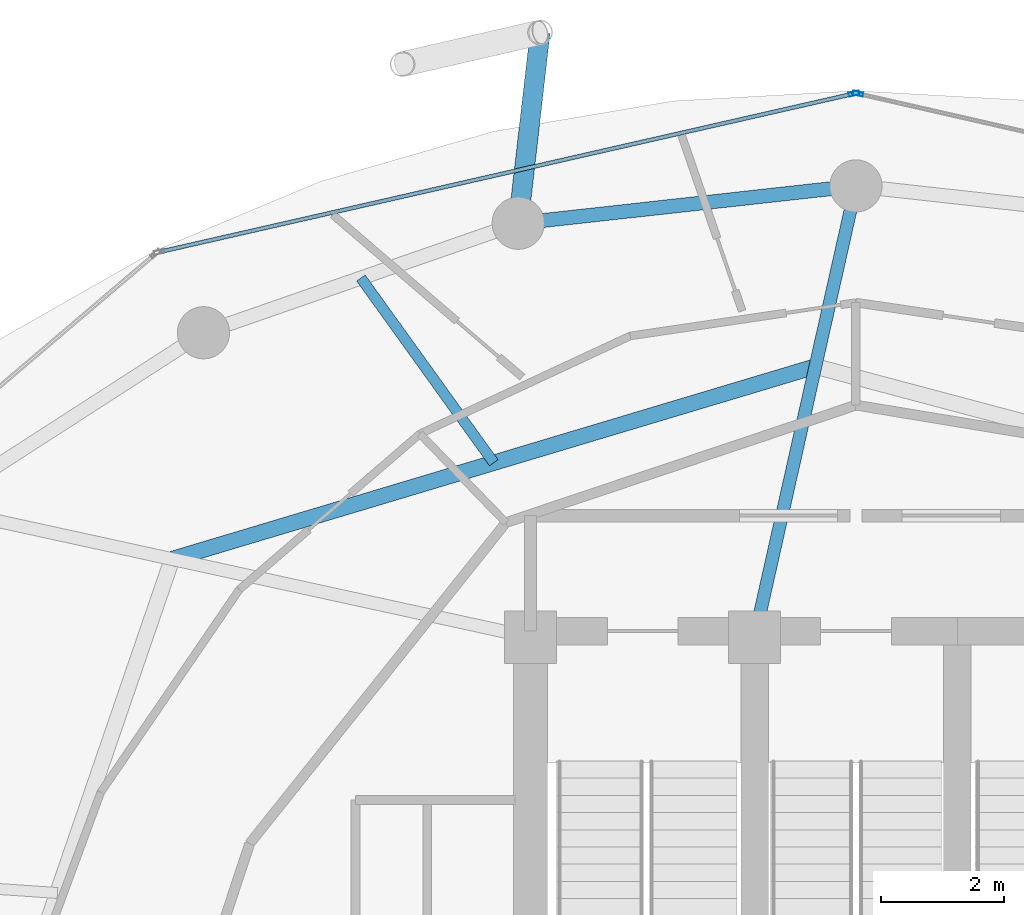
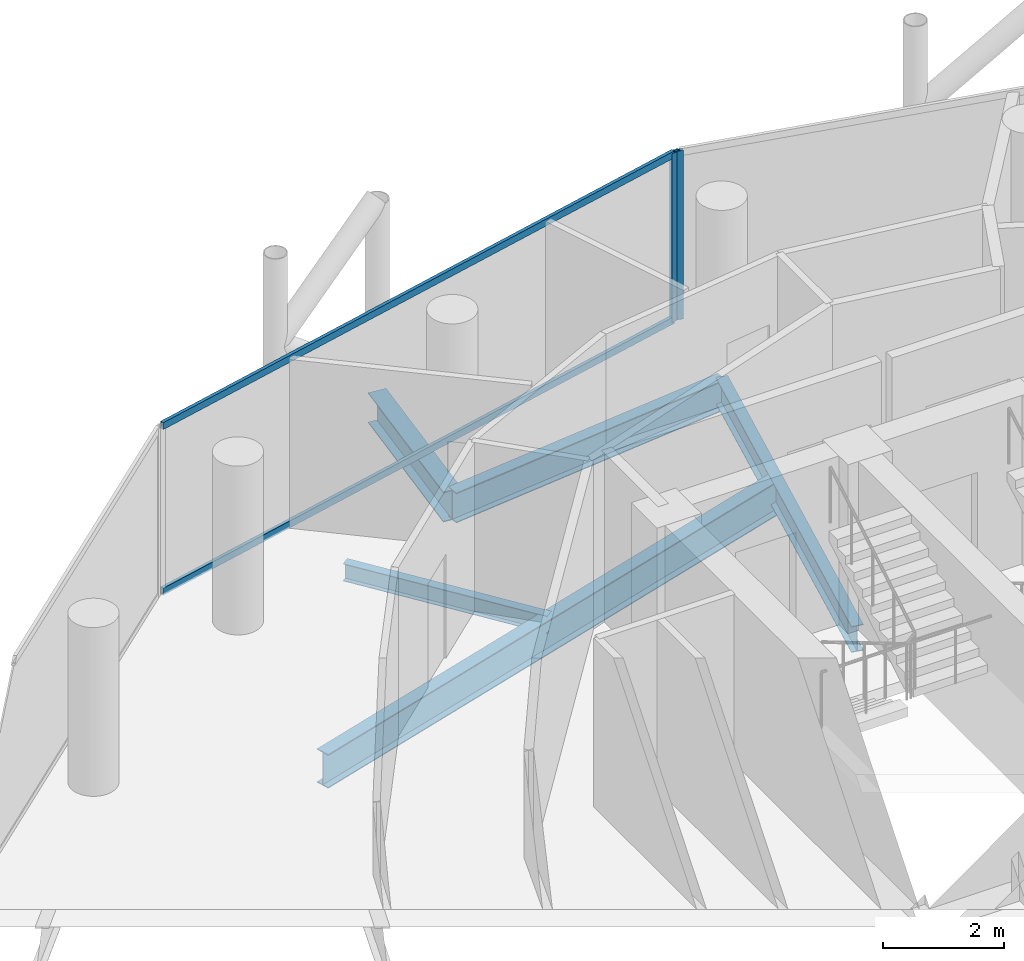
# One storey, part 19 of 27: 5 beams, 4 members, 2 elements without a shape of their own.
"""IFC4 building model written with IfcOpenShell, lengths in metres."""

from ifc_helpers import new_model, si_unit, direction, frame, origin, origin_2d, place, context, subcontext, project, spatial, hollow_rectangle, i_section, extrude, material, layer, layer_set, material_profile, profile_set, type_object, element, aggregate, save


model = new_model("IFC4")

# Units and contexts
model_context = context("Model", 3, precision=1e-05, world=origin(), true_north=direction((0.0, 1.0)))
body_context = subcontext(model_context, "Body", "Model", "MODEL_VIEW")
ifc_project = project(units=[si_unit("LENGTHUNIT", "METRE"), si_unit("AREAUNIT", "SQUARE_METRE"), si_unit("VOLUMEUNIT", "CUBIC_METRE"), si_unit("PLANEANGLEUNIT", "RADIAN"), si_unit("MASSUNIT", "GRAM", prefix="KILO")], contexts=[model_context])

# Site, building, storey
site_placement = place(None, origin())
site = spatial("IfcSite", under=ifc_project, at=site_placement, CompositionType="ELEMENT")
building_placement = place(site_placement, origin())
building = spatial("IfcBuilding", under=site, at=building_placement, Name="Nuhasar Tower", CompositionType="ELEMENT")
storey_placement = place(building_placement, frame((0.0, 0.0, 241.0)))
storey = spatial("IfcBuildingStorey", under=building, at=storey_placement, Name="L59", CompositionType="ELEMENT", Elevation=241.0)

# Beams
ifc_material_1 = material(Name="Steel S355", Category="steel")
ifc_material_profile_1 = material_profile(ifc_material_1, i_section(OverallWidth=0.25390625, OverallDepth=0.68408203125, WebThickness=0.012451171875, FlangeThickness=0.018798828125, at=origin_2d()), Name="W27X94")
ifc_profile_set_1 = profile_set([ifc_material_profile_1], Name="Steel S355")
beam_type_1 = type_object("IfcBeamType", Name="BM-INRING-W27X94", PredefinedType="BEAM", material=ifc_profile_set_1)
beam_1_placement = place(storey_placement, frame((38.340087890625, 41.7099609375, -0.58203125), z_axis=(-0.957973628187, -0.28685628405, 0.0), x_axis=(0.28685628405, -0.957973628187, 0.0)))
element("IfcBeam", 1, at=beam_1_placement, inside=storey, type_object=beam_type_1, Name="L59 Inner Header Beam 06", PredefinedType="BEAM", context=body_context, shape_type="SweptSolid", body=[
    extrude(i_section(OverallWidth=0.25390625, OverallDepth=0.68408203125, WebThickness=0.012451171875, FlangeThickness=0.018798828125, at=origin_2d()), origin(), (0.0, 0.0, 1.0), 10.935546875),
])
ifc_material_profile_2 = material_profile(ifc_material_1, i_section(OverallWidth=0.1708984375, OverallDepth=0.35205078125, WebThickness=0.0068359375, FlangeThickness=0.009765625, at=origin_2d()), Name="W14X30")
ifc_profile_set_2 = profile_set([ifc_material_profile_2], Name="Steel S355")
beam_type_2 = type_object("IfcBeamType", Name="BM-JST-W14X30", PredefinedType="JOIST", material=ifc_profile_set_2)
beam_2_placement = place(storey_placement, frame((33.10205078125, 40.14208984375, -0.416015625), z_axis=(-0.58390205555, 0.811824112431, 0.0), x_axis=(-0.811824112431, -0.58390205555, 0.0)))
element("IfcBeam", 2, at=beam_2_placement, inside=storey, type_object=beam_type_2, Name="L59 Secondary Floor Joist 06", PredefinedType="JOIST", context=body_context, shape_type="SweptSolid", body=[
    extrude(i_section(OverallWidth=0.1708984375, OverallDepth=0.35205078125, WebThickness=0.0068359375, FlangeThickness=0.009765625, at=origin_2d()), origin(), (0.0, 0.0, 1.0), 3.706298828125),
])
ifc_material_profile_3 = material_profile(ifc_material_1, i_section(OverallWidth=0.208984375, OverallDepth=0.528076171875, WebThickness=0.009521484375, FlangeThickness=0.01318359375, at=origin_2d()), Name="W21X55")
ifc_profile_set_3 = profile_set([ifc_material_profile_3], Name="Steel S355")
beam_type_3 = type_object("IfcBeamType", Name="BM-RAD-W21X55", PredefinedType="BEAM", material=ifc_profile_set_3)
beam_3_placement = place(storey_placement, frame((37.35009765625, 37.300048828125, -0.50390625), z_axis=(0.219030156142, 0.975718089768, 0.0), x_axis=(-0.975718089768, 0.219030156142, 0.0)))
element("IfcBeam", 3, at=beam_3_placement, inside=storey, type_object=beam_type_3, Name="L59 Radial Floor Girder 06", PredefinedType="BEAM", context=body_context, shape_type="SweptSolid", body=[
    extrude(i_section(OverallWidth=0.208984375, OverallDepth=0.528076171875, WebThickness=0.009521484375, FlangeThickness=0.01318359375, at=origin_2d()), origin(), (0.0, 0.0, 1.0), 7.53271484375),
])
ifc_material_profile_4 = material_profile(ifc_material_1, i_section(OverallWidth=0.22802734375, OverallDepth=0.60791015625, WebThickness=0.01123046875, FlangeThickness=0.017333984375, at=origin_2d()), Name="W24X76")
ifc_profile_set_4 = profile_set([ifc_material_profile_4], Name="Steel S355")
beam_type_4 = type_object("IfcBeamType", Name="BM-RING-W24X76", PredefinedType="SPANDREL", material=ifc_profile_set_4)
beam_4_placement = place(storey_placement, frame((39.0, 44.64990234375, -0.5439453125), z_axis=(-0.993947060915, -0.109860093292, 0.0), x_axis=(0.109860093292, -0.993947060915, 0.0)))
element("IfcBeam", 4, at=beam_4_placement, inside=storey, type_object=beam_type_4, Name="L59 Perimeter Ring Spandrel 07", PredefinedType="SPANDREL", context=body_context, shape_type="SweptSolid", body=[
    extrude(i_section(OverallWidth=0.22802734375, OverallDepth=0.60791015625, WebThickness=0.01123046875, FlangeThickness=0.017333984375, at=origin_2d()), origin(), (0.0, 0.0, 1.0), 5.533447265625),
])
ifc_material_profile_5 = material_profile(ifc_material_1, i_section(OverallWidth=0.323974609375, OverallDepth=0.611083984375, WebThickness=0.0126953125, FlangeThickness=0.01904296875, at=origin_2d()), Name="W24X104")
ifc_profile_set_5 = profile_set([ifc_material_profile_5], Name="Steel S355")
beam_type_5 = type_object("IfcBeamType", Name="BM-TIE-W24X104", PredefinedType="BEAM", material=ifc_profile_set_5)
beam_5_placement = place(storey_placement, frame((33.5, 44.0419921875, -0.5458984375), z_axis=(0.114132222314, 0.993465568517, 0.0), x_axis=(-0.993465568517, 0.114132222314, 0.0)))
element("IfcBeam", 5, at=beam_5_placement, inside=storey, type_object=beam_type_5, Name="L59 Exoskeleton Node Tie Beam 04", PredefinedType="BEAM", context=body_context, shape_type="SweptSolid", body=[
    extrude(i_section(OverallWidth=0.323974609375, OverallDepth=0.611083984375, WebThickness=0.0126953125, FlangeThickness=0.01904296875, at=origin_2d()), origin(), (0.0, 0.0, 1.0), 3.12744140625),
])

# Curtain wall, member
ifc_material_2 = material(Name="Aluminium 6063-T6", Category="aluminium")
ifc_layer = layer(ifc_material_2, 0.18994140625)
ifc_layer_set = layer_set([ifc_layer], Name="Aluminium 6063-T6")
curtain_wall_type = type_object("IfcCurtainWallType", Name="CW-Z3-RES", PredefinedType="NOTDEFINED", material=ifc_layer_set)
curtain_wall_1_placement = place(storey_placement, origin())
curtain_wall_1 = element("IfcCurtainWall", 6, at=curtain_wall_1_placement, inside=storey, type_object=curtain_wall_type, Name="L59 Unitised Curtain Wall 03", PredefinedType="NOTDEFINED")
ifc_material_profile_6 = material_profile(ifc_material_2, hollow_rectangle(XDim=0.06494140625, YDim=0.169921875, WallThickness=0.0048828125, at=origin_2d()), Name="CWM-4")
ifc_profile_set_6 = profile_set([ifc_material_profile_6], Name="Aluminium 6063-T6")
member_type_1 = type_object("IfcMemberType", Name="CW-MUL-S4", PredefinedType="MULLION", material=ifc_profile_set_6)
member_1_placement = place(storey_placement, frame((39.03173828125, 46.15283203125, 0.0), z_axis=(0.0, 0.0, 1.0), x_axis=(-0.222243176313, -0.974991266926, 0.0)))
member_1 = element("IfcMember", 7, at=member_1_placement, type_object=member_type_1, Name="CW-Z3 mullion 2", PredefinedType="MULLION", context=body_context, shape_type="SweptSolid", body=[
    extrude(hollow_rectangle(XDim=0.06494140625, YDim=0.169921875, WallThickness=0.0048828125, at=origin_2d()), origin(), (0.0, 0.0, 1.0), 3.409912109375),
])
aggregate(curtain_wall_1, [member_1])

# Curtain wall, members
curtain_wall_2_placement = place(storey_placement, origin())
curtain_wall_2 = element("IfcCurtainWall", 8, at=curtain_wall_2_placement, inside=storey, type_object=curtain_wall_type, Name="L59 Unitised Curtain Wall 04", PredefinedType="NOTDEFINED")
member_2_placement = place(storey_placement, frame((38.96826171875, 46.15283203125, 0.0), z_axis=(0.0, 0.0, 1.0), x_axis=(0.222243176313, -0.974991266926, 0.0)))
member_2 = element("IfcMember", 9, at=member_2_placement, type_object=member_type_1, Name="CW-Z3 mullion 1", PredefinedType="MULLION", context=body_context, shape_type="SweptSolid", body=[
    extrude(hollow_rectangle(XDim=0.06494140625, YDim=0.169921875, WallThickness=0.0048828125, at=origin_2d()), origin(), (0.0, 0.0, 1.0), 3.409912109375),
])
ifc_material_profile_7 = material_profile(ifc_material_2, hollow_rectangle(XDim=0.06494140625, YDim=0.139892578125, WallThickness=0.00439453125, at=origin_2d()), Name="CWT-4")
ifc_profile_set_7 = profile_set([ifc_material_profile_7], Name="Aluminium 6063-T6")
member_type_2 = type_object("IfcMemberType", Name="CW-TRN-S4", PredefinedType="USERDEFINED", material=ifc_profile_set_7)
member_3_placement = place(storey_placement, frame((38.9365234375, 46.1455078125, 0.032470703125), z_axis=(-0.974994070913, -0.222230874732, 0.0), x_axis=(0.222230874732, -0.974994070913, 0.0)))
member_3 = element("IfcMember", 10, at=member_3_placement, type_object=member_type_2, Name="CW-Z3 transom 1.1", ObjectType="TRANSOM", PredefinedType="USERDEFINED", context=body_context, shape_type="SweptSolid", body=[
    extrude(hollow_rectangle(XDim=0.06494140625, YDim=0.139892578125, WallThickness=0.00439453125, at=origin_2d()), origin(), (0.0, 0.0, 1.0), 11.541748046875),
])
member_4_placement = place(storey_placement, frame((38.9365234375, 46.1455078125, 3.37744140625), z_axis=(-0.974994070913, -0.222230874732, 0.0), x_axis=(0.222230874732, -0.974994070913, 0.0)))
member_4 = element("IfcMember", 11, at=member_4_placement, type_object=member_type_2, Name="CW-Z3 transom 1.2", ObjectType="TRANSOM", PredefinedType="USERDEFINED", context=body_context, shape_type="SweptSolid", body=[
    extrude(hollow_rectangle(XDim=0.06494140625, YDim=0.139892578125, WallThickness=0.00439453125, at=origin_2d()), origin(), (0.0, 0.0, 1.0), 11.541748046875),
])
aggregate(curtain_wall_2, [member_2, member_3, member_4])

save(model, "model.ifc")
